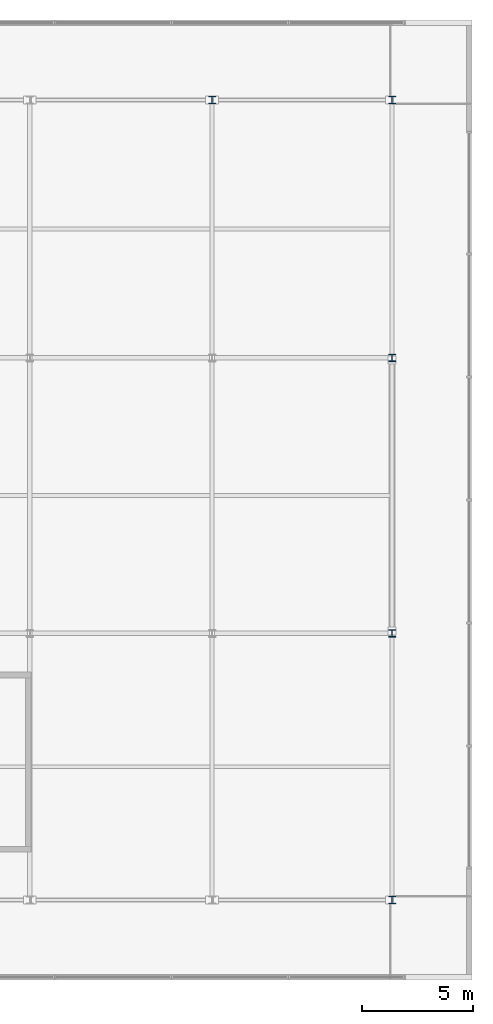
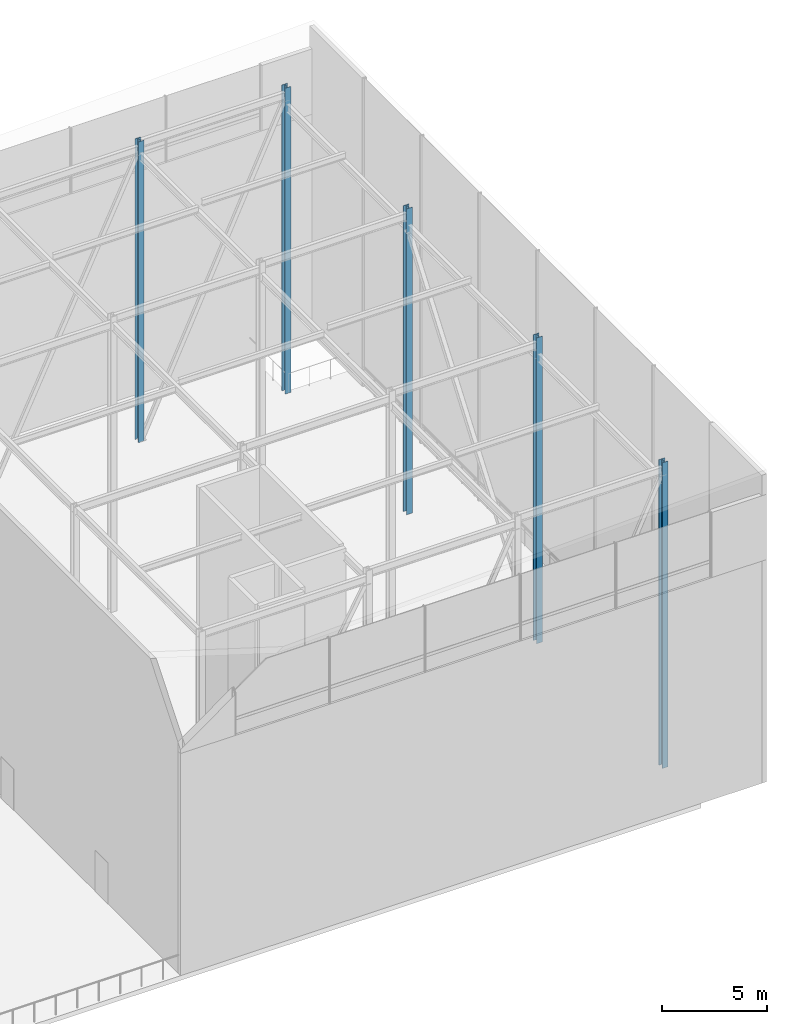
# One storey, part 4 of 39: 5 columns.
"""IFC4 building model written with IfcOpenShell, lengths in metres."""

from ifc_helpers import new_model, si_unit, direction, frame, origin, origin_2d, place, context, subcontext, project, spatial, i_section, extrude, material, material_profile, profile_set, type_object, element, save


model = new_model("IFC4")

# Units and contexts
model_context = context("Model", 3, precision=1e-05, world=origin(), true_north=direction((0.0, 1.0)))
body_context = subcontext(model_context, "Body", "Model", "MODEL_VIEW")
ifc_project = project(units=[si_unit("LENGTHUNIT", "METRE"), si_unit("AREAUNIT", "SQUARE_METRE"), si_unit("VOLUMEUNIT", "CUBIC_METRE"), si_unit("PLANEANGLEUNIT", "RADIAN"), si_unit("MASSUNIT", "GRAM", prefix="KILO")], contexts=[model_context])

# Site, building, storey
site_placement = place(None, origin())
site = spatial("IfcSite", under=ifc_project, at=site_placement, CompositionType="ELEMENT")
building_placement = place(site_placement, origin())
building = spatial("IfcBuilding", under=site, at=building_placement, Name="Korimba Cascade Residences", CompositionType="ELEMENT")
storey_placement = place(building_placement, frame((0.0, 0.0, 264.199951171875)))
storey = spatial("IfcBuildingStorey", under=building, at=storey_placement, Name="RF", CompositionType="ELEMENT", Elevation=264.199951171875)

# Columns
ifc_material = material(Name="Steel S355", Category="steel")
ifc_material_profile = material_profile(ifc_material, i_section(OverallWidth=0.314453125, OverallDepth=0.33984375, WebThickness=0.01904296875, FlangeThickness=0.031494140625, FilletRadius=0.01513671875, at=origin_2d()), Name="Steel S355")
ifc_profile_set = profile_set([ifc_material_profile], Name="Steel S355")
column_type = type_object("IfcColumnType", Name="COL-STL-UC198", PredefinedType="COLUMN", material=ifc_profile_set)
column_placement = place(storey_placement, frame((120.300048828125, 91.199951171875, 0.0), z_axis=(0.0, 0.0, 1.0), x_axis=(1.0, 0.0, 0.0)))
element("IfcColumn", 1, at=column_placement, inside=storey, type_object=column_type, Name="RF Split-Top Crown Frame Post E3.4", PredefinedType="COLUMN", context=body_context, shape_type="SweptSolid", body=[
    extrude(i_section(OverallWidth=0.314453125, OverallDepth=0.33984375, WebThickness=0.01904296875, FlangeThickness=0.031494140625, FilletRadius=0.01513671875, at=origin_2d()), origin(), (0.0, 0.0, 1.0), 17.515380859375),
])
for number, where, z_axis, x_axis, name in (
    (2, (128.39990234375, 55.199951171875, 0.0), (0.0, 0.0, 1.0), (1.0, 0.0, 0.0), "RF Split-Top Crown Frame Post E4.1"),
    (3, (128.39990234375, 67.199951171875, 0.0), (0.0, 0.0, 1.0), (1.0, 0.0, 0.0), "RF Split-Top Crown Frame Post E4.2"),
    (4, (128.39990234375, 79.60009765625, 0.0), (0.0, 0.0, 1.0), (1.0, 0.0, 0.0), "RF Split-Top Crown Frame Post E4.3"),
    (5, (128.39990234375, 91.199951171875, 0.0), (0.0, 0.0, 1.0), (1.0, 0.0, 0.0), "RF Split-Top Crown Frame Post E4.4"),
):
    element("IfcColumn", number, at=place(storey_placement, frame(where, z_axis=z_axis, x_axis=x_axis)), inside=storey, type_object=column_type, Name=name, PredefinedType="COLUMN", context=body_context, shape_type="SweptSolid", body=[
        extrude(i_section(OverallWidth=0.314453125, OverallDepth=0.33984375, WebThickness=0.01904296875, FlangeThickness=0.031494140625, FilletRadius=0.01513671875, at=origin_2d()), origin(), (0.0, 0.0, 1.0), 17.81640625),
    ])

save(model, "model.ifc")
